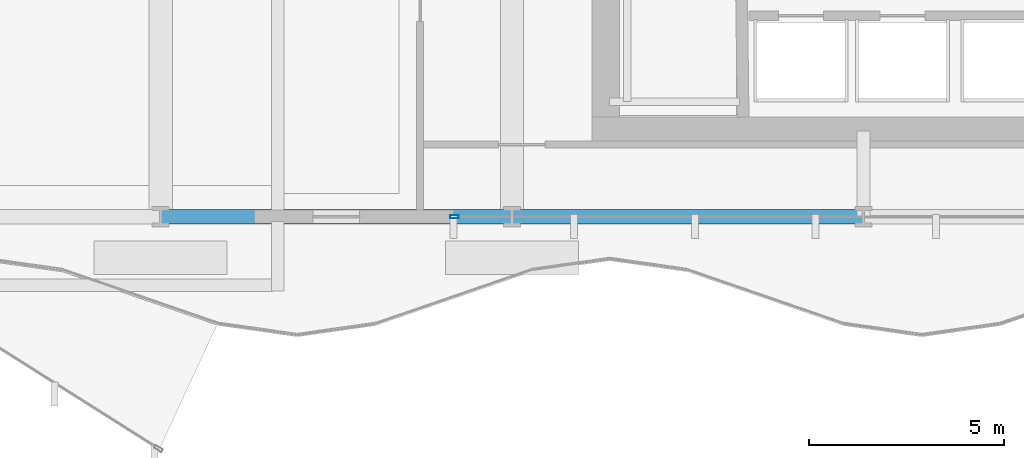
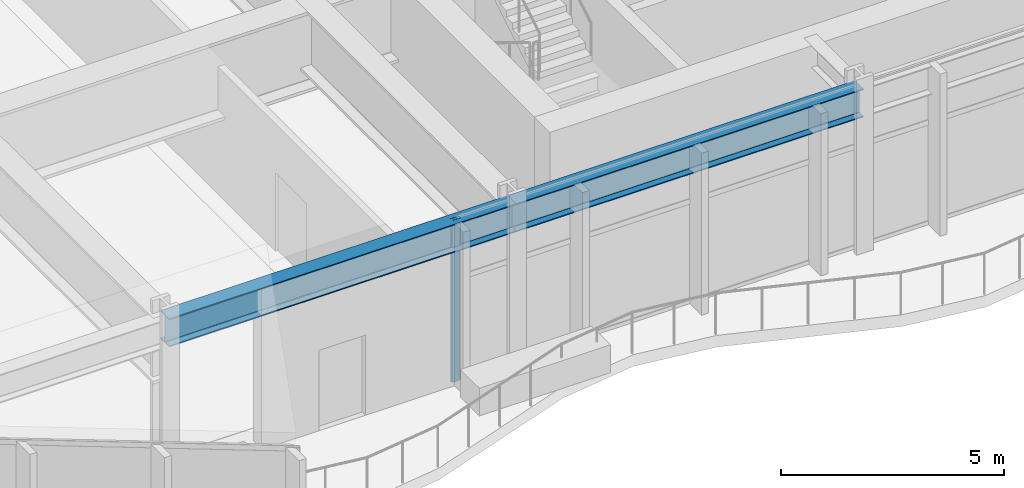
# One storey, part 4 of 31: 2 beams, 1 member, 1 element without a shape of its own.
"""IFC4 building model written with IfcOpenShell, lengths in metres."""

from ifc_helpers import new_model, si_unit, direction, frame, origin, origin_2d, place, context, subcontext, project, spatial, hollow_rectangle, i_section, extrude, material, layer, layer_set, material_profile, profile_set, type_object, element, aggregate, save


model = new_model("IFC4")

# Units and contexts
model_context = context("Model", 3, precision=1e-05, world=origin(), true_north=direction((0.0, 1.0)))
body_context = subcontext(model_context, "Body", "Model", "MODEL_VIEW")
ifc_project = project(units=[si_unit("LENGTHUNIT", "METRE"), si_unit("AREAUNIT", "SQUARE_METRE"), si_unit("VOLUMEUNIT", "CUBIC_METRE"), si_unit("PLANEANGLEUNIT", "RADIAN"), si_unit("MASSUNIT", "GRAM", prefix="KILO")], contexts=[model_context])

# Site, building, storey
site_placement = place(None, origin())
site = spatial("IfcSite", under=ifc_project, at=site_placement, CompositionType="ELEMENT")
building_placement = place(site_placement, origin())
building = spatial("IfcBuilding", under=site, at=building_placement, Name="Solvaryn Broadcast Tower", CompositionType="ELEMENT")
storey_placement = place(building_placement, frame((0.0, 0.0, 26.0)))
storey = spatial("IfcBuildingStorey", under=building, at=storey_placement, Name="L05", CompositionType="ELEMENT", Elevation=26.0)

# Beams
ifc_material_1 = material(Name="Steel ASTM A992 Grade 50", Category="steel")
ifc_material_profile_1 = material_profile(ifc_material_1, i_section(OverallWidth=0.381103515625, OverallDepth=0.77294921875, WebThickness=0.0166015625, FlangeThickness=0.027099609375, FilletRadius=0.01806640625, at=origin_2d()))
ifc_profile_set_1 = profile_set([ifc_material_profile_1], Name="Steel ASTM A992 Grade 50")
beam_type = type_object("IfcBeamType", Name="BM-SP1-W30X173", PredefinedType="USERDEFINED", material=ifc_profile_set_1)
for number, where, z_axis, x_axis, name in (
    (1, (18.0, 9.0, 4.053466796875), (1.0, 0.0, 0.0), (0.0, 1.0, 0.0), "L05 Spandrel Beam X (18-27 @ Y=9)"),
    (2, (27.0, 9.0, 4.053466796875), (1.0, 0.0, 0.0), (0.0, 1.0, 0.0), "L05 Spandrel Beam X (27-36 @ Y=9)"),
):
    element("IfcBeam", number, at=place(storey_placement, frame(where, z_axis=z_axis, x_axis=x_axis)), inside=storey, type_object=beam_type, Name=name, ObjectType="SPANDREL", PredefinedType="USERDEFINED", context=body_context, shape_type="SweptSolid", body=[
        extrude(i_section(OverallWidth=0.381103515625, OverallDepth=0.77294921875, WebThickness=0.0166015625, FlangeThickness=0.027099609375, FilletRadius=0.01806640625, at=origin_2d()), origin(), (0.0, 0.0, 1.0), 9.0),
    ])

# Curtain wall, member
ifc_material_2 = material(Name="Aluminium and Terracotta Unitised Curtain Wall", Category="masonry")
ifc_layer = layer(ifc_material_2, 0.219970703125)
ifc_layer_set = layer_set([ifc_layer], Name="CW-SYS1-PODIUM")
curtain_wall_type = type_object("IfcCurtainWallType", Name="CW-SYS1-PODIUM", PredefinedType="NOTDEFINED", material=ifc_layer_set)
curtain_wall_placement = place(storey_placement, origin())
curtain_wall = element("IfcCurtainWall", 3, at=curtain_wall_placement, inside=storey, type_object=curtain_wall_type, Name="L05 Podium Curtain Wall S1", PredefinedType="NOTDEFINED")
ifc_material_3 = material(Name="Anodised Aluminium 6063-T6", Category="aluminium")
ifc_material_profile_2 = material_profile(ifc_material_3, hollow_rectangle(XDim=0.0849609375, YDim=0.219970703125, WallThickness=0.0048828125, InnerFilletRadius=0.0048828125, OuterFilletRadius=0.010009765625, at=origin_2d()))
ifc_profile_set_2 = profile_set([ifc_material_profile_2], Name="Anodised Aluminium 6063-T6")
member_type = type_object("IfcMemberType", Name="CW-MUL-220", PredefinedType="MULLION", material=ifc_profile_set_2)
member_placement = place(storey_placement, frame((25.530029296875, 9.0, 0.0), z_axis=(0.0, 0.0, 1.0), x_axis=(0.0, -1.0, 0.0)))
member = element("IfcMember", 4, at=member_placement, type_object=member_type, Name="CWS1 mullion 3", PredefinedType="MULLION", context=body_context, shape_type="SweptSolid", body=[
    extrude(hollow_rectangle(XDim=0.0849609375, YDim=0.219970703125, WallThickness=0.0048828125, InnerFilletRadius=0.0048828125, OuterFilletRadius=0.010009765625, at=origin_2d()), origin(), (0.0, 0.0, 1.0), 4.43994140625),
])
aggregate(curtain_wall, [member])

save(model, "model.ifc")
